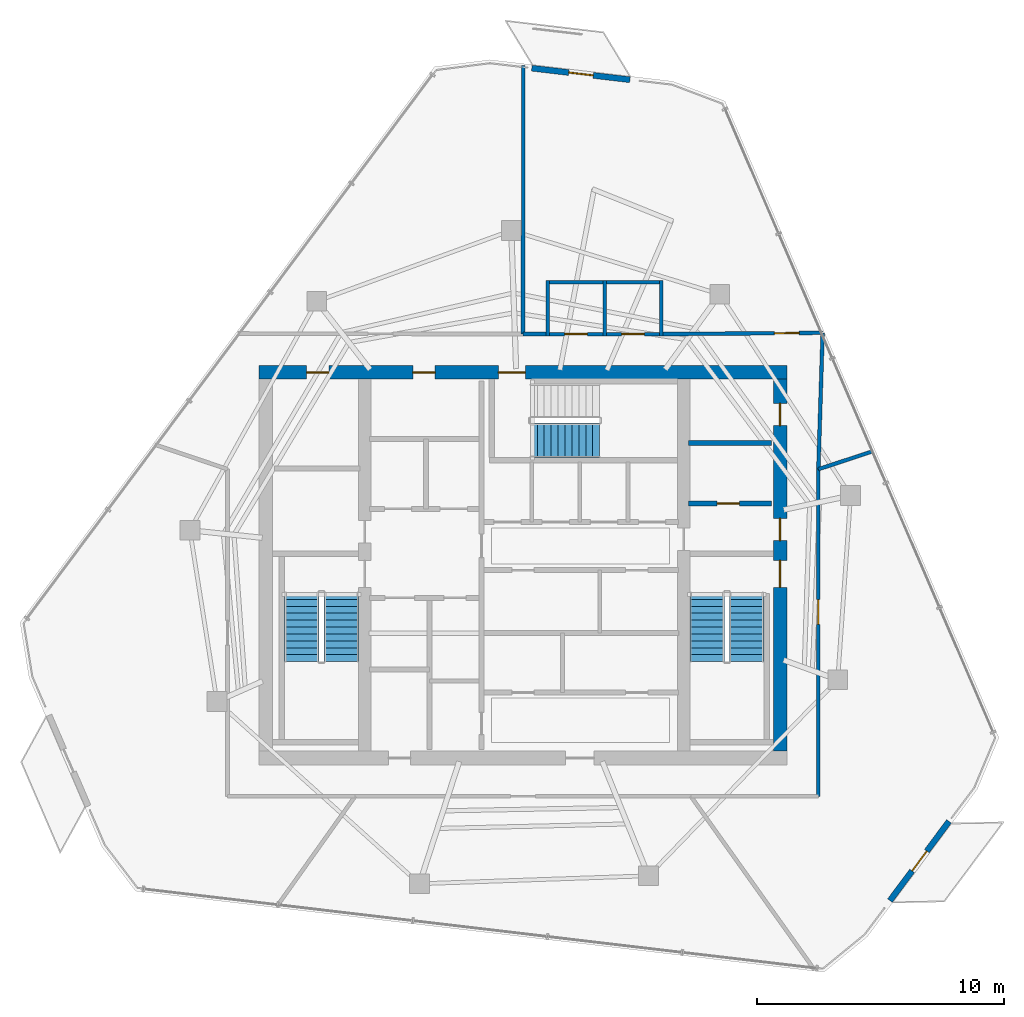
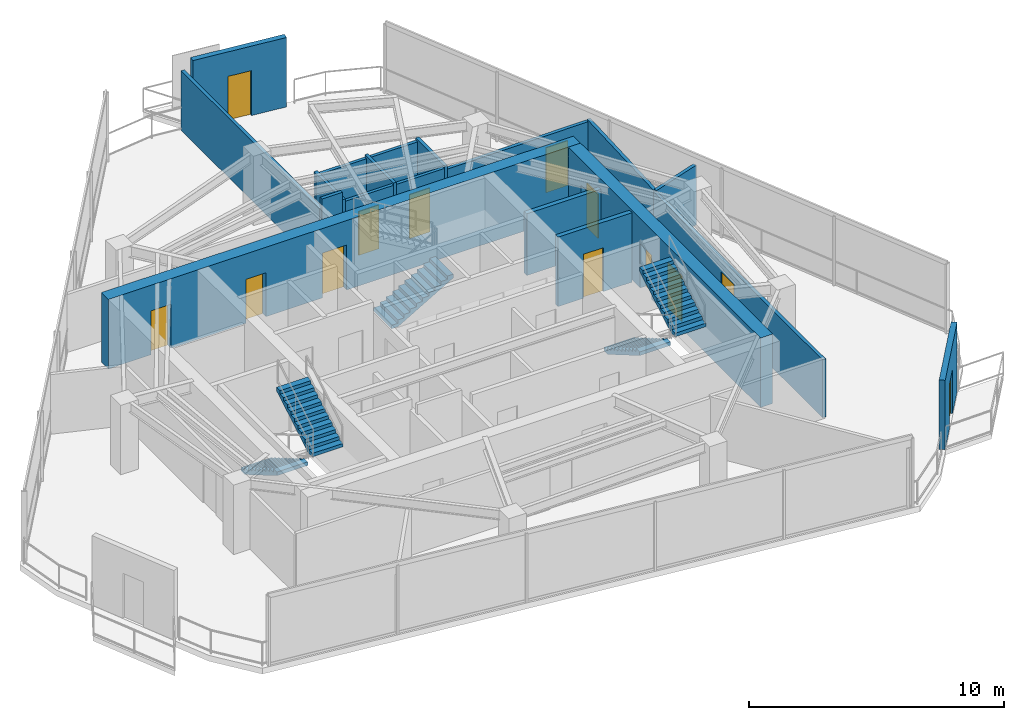
# One storey, part 15 of 18: 19 walls, 13 doors, 5 stair flights, 13 openings, 3 elements without a shape of their own.
"""IFC4 building model written with IfcOpenShell, lengths in metres."""

from ifc_helpers import new_model, si_unit, direction, frame, frame_2d, origin, place, context, subcontext, project, spatial, polyline, rectangle, outline, extrude, material, layer, layer_set, type_object, element, fill, aggregate, save


model = new_model("IFC4")

# Units and contexts
model_context = context("Model", 3, precision=1e-05, world=origin(), true_north=direction((0.0, 1.0)))
body_context = subcontext(model_context, "Body", "Model", "MODEL_VIEW")
ifc_project = project(units=[si_unit("LENGTHUNIT", "METRE"), si_unit("AREAUNIT", "SQUARE_METRE"), si_unit("VOLUMEUNIT", "CUBIC_METRE"), si_unit("PLANEANGLEUNIT", "RADIAN"), si_unit("MASSUNIT", "GRAM", prefix="KILO")], contexts=[model_context])

# Site, building, storey
site_placement = place(None, origin())
site = spatial("IfcSite", under=ifc_project, at=site_placement, CompositionType="ELEMENT")
building_placement = place(site_placement, origin())
building = spatial("IfcBuilding", under=site, at=building_placement, Name="Qarnah Convention Tower", CompositionType="ELEMENT")
storey_placement = place(building_placement, frame((0.0, 0.0, 267.89990234375)))
storey = spatial("IfcBuildingStorey", under=building, at=storey_placement, Name="L72", CompositionType="ELEMENT", Elevation=267.89990234375)

# Wall, openings, doors
ifc_material_1 = material(Name="Concrete C60/75", Category="concrete")
ifc_layer_1 = layer(ifc_material_1, 0.550048828125)
ifc_layer_set_1 = layer_set([ifc_layer_1], Name="Concrete C60/75")
wall_type_1 = type_object("IfcWallType", Name="WL-CORE-550", PredefinedType="SHEAR", material=ifc_layer_set_1)
wall_1_placement = place(storey_placement, frame((26.52490234375, 34.199951171875, 0.0), z_axis=(0.0, 0.0, 1.0), x_axis=(1.0, 0.0, 0.0)))
wall_1 = element("IfcWall", 1, at=wall_1_placement, inside=storey, type_object=wall_type_1, Name="L72 core north shear wall", PredefinedType="SHEAR", context=body_context, shape_type="SweptSolid", body=[
    extrude(rectangle(XDim=21.35009765625, YDim=0.550048828125, at=frame_2d((10.675048828125, 0.0))), origin(), (0.0, 0.0, 1.0), 3.320068359375),
])
opening_1_placement = place(wall_1_placement, frame((9.675048828125, 0.0, 0.0)))
opening_1 = element("IfcOpeningElement", 2, at=opening_1_placement, cuts=wall_1, Name="Opening D-7203", PredefinedType="OPENING", context=body_context, shape_type="SweptSolid", body=[
    extrude(rectangle(XDim=1.10009765625, YDim=2.14990234375, at=frame_2d((0.550048828125, 1.074951171875))), frame((0.0, 0.284912109375, 0.0), z_axis=(0.0, -1.0, 0.0), x_axis=(1.0, 0.0, 0.0)), (0.0, 0.0, 1.0), 0.570068359375),
])
opening_2_placement = place(wall_1_placement, frame((1.925048828125, 0.0, 0.0)))
opening_2 = element("IfcOpeningElement", 3, at=opening_2_placement, cuts=wall_1, Name="Opening D-7209", PredefinedType="OPENING", context=body_context, shape_type="SweptSolid", body=[
    extrude(rectangle(XDim=0.89990234375, YDim=2.10009765625, at=frame_2d((0.449951171875, 1.050048828125))), frame((0.0, 0.284912109375, 0.0), z_axis=(0.0, -1.0, 0.0), x_axis=(1.0, 0.0, 0.0)), (0.0, 0.0, 1.0), 0.570068359375),
])
opening_3_placement = place(wall_1_placement, frame((6.22509765625, 0.0, 0.0)))
opening_3 = element("IfcOpeningElement", 4, at=opening_3_placement, cuts=wall_1, Name="Opening D-7210", PredefinedType="OPENING", context=body_context, shape_type="SweptSolid", body=[
    extrude(rectangle(XDim=0.89990234375, YDim=2.10009765625, at=frame_2d((0.449951171875, 1.050048828125))), frame((0.0, 0.284912109375, 0.0), z_axis=(0.0, -1.0, 0.0), x_axis=(1.0, 0.0, 0.0)), (0.0, 0.0, 1.0), 0.570068359375),
])
ifc_material_2 = material(Name="Structural steel S355JR", Category="steel")
door_type_1 = type_object("IfcDoorType", Name="DT-RISER-900", OperationType="NOTDEFINED", PredefinedType="DOOR", material=ifc_material_2)
door_1_placement = place(opening_2_placement, origin())
door_1 = element("IfcDoor", 5, at=door_1_placement, inside=storey, type_object=door_type_1, Name="Door D-7209", OperationType="SINGLE_SWING_LEFT", OverallHeight=2.10009765625, OverallWidth=0.89990234375, PredefinedType="DOOR", context=body_context, shape_type="SweptSolid", body=[
    extrude(rectangle(XDim=0.89990234375, YDim=2.10009765625, at=frame_2d((0.449951171875, 1.050048828125))), frame((0.0, 0.02490234375, 0.0), z_axis=(0.0, -1.0, 0.0), x_axis=(1.0, 0.0, 0.0)), (0.0, 0.0, 1.0), 0.050048828125),
])
fill(opening_2, door_1)
door_2_placement = place(opening_3_placement, origin())
door_2 = element("IfcDoor", 6, at=door_2_placement, inside=storey, type_object=door_type_1, Name="Door D-7210", OperationType="SINGLE_SWING_RIGHT", OverallHeight=2.10009765625, OverallWidth=0.89990234375, PredefinedType="DOOR", context=body_context, shape_type="SweptSolid", body=[
    extrude(rectangle(XDim=0.89990234375, YDim=2.10009765625, at=frame_2d((0.449951171875, 1.050048828125))), frame((0.0, 0.02490234375, 0.0), z_axis=(0.0, -1.0, 0.0), x_axis=(1.0, 0.0, 0.0)), (0.0, 0.0, 1.0), 0.050048828125),
])
fill(opening_3, door_2)
door_type_2 = type_object("IfcDoorType", Name="DT-STAIR-1100", OperationType="NOTDEFINED", PredefinedType="DOOR", material=ifc_material_2)
door_3_placement = place(opening_1_placement, origin())
door_3 = element("IfcDoor", 7, at=door_3_placement, inside=storey, type_object=door_type_2, Name="Door D-7203", OperationType="SINGLE_SWING_LEFT", OverallHeight=2.14990234375, OverallWidth=1.10009765625, PredefinedType="DOOR", context=body_context, shape_type="SweptSolid", body=[
    extrude(rectangle(XDim=1.10009765625, YDim=2.14990234375, at=frame_2d((0.550048828125, 1.074951171875))), frame((0.0, 0.02490234375, 0.0), z_axis=(0.0, -1.0, 0.0), x_axis=(1.0, 0.0, 0.0)), (0.0, 0.0, 1.0), 0.050048828125),
])
fill(opening_1, door_3)

wall_2_placement = place(storey_placement, frame((47.60009765625, 18.875, 0.0), z_axis=(0.0, 0.0, 1.0), x_axis=(0.0, 1.0, 0.0)))
wall_2 = element("IfcWall", 8, at=wall_2_placement, inside=storey, type_object=wall_type_1, Name="L72 core east shear wall", PredefinedType="SHEAR", context=body_context, shape_type="SweptSolid", body=[
    extrude(rectangle(XDim=15.050048828125, YDim=0.550048828125, at=frame_2d((7.52490234375, 0.0))), origin(), (0.0, 0.0, 1.0), 3.320068359375),
])
opening_4_placement = place(wall_2_placement, frame((6.625, 0.0, 0.0)))
opening_4 = element("IfcOpeningElement", 9, at=opening_4_placement, cuts=wall_2, Name="Opening D-7202", PredefinedType="OPENING", context=body_context, shape_type="SweptSolid", body=[
    extrude(rectangle(XDim=1.10009765625, YDim=2.14990234375, at=frame_2d((0.550048828125, 1.074951171875))), frame((0.0, 0.284912109375, 0.0), z_axis=(0.0, -1.0, 0.0), x_axis=(1.0, 0.0, 0.0)), (0.0, 0.0, 1.0), 0.570068359375),
])
opening_5_placement = place(wall_2_placement, frame((8.52490234375, 0.0, 0.0)))
opening_5 = element("IfcOpeningElement", 10, at=opening_5_placement, cuts=wall_2, Name="Opening D-7206", PredefinedType="OPENING", context=body_context, shape_type="SweptSolid", body=[
    extrude(rectangle(XDim=0.89990234375, YDim=2.10009765625, at=frame_2d((0.449951171875, 1.050048828125))), frame((0.0, 0.284912109375, 0.0), z_axis=(0.0, -1.0, 0.0), x_axis=(1.0, 0.0, 0.0)), (0.0, 0.0, 1.0), 0.570068359375),
])
opening_6_placement = place(wall_2_placement, frame((13.175048828125, 0.0, 0.0)))
opening_6 = element("IfcOpeningElement", 11, at=opening_6_placement, cuts=wall_2, Name="Opening D-7212", PredefinedType="OPENING", context=body_context, shape_type="SweptSolid", body=[
    extrude(rectangle(XDim=0.89990234375, YDim=2.10009765625, at=frame_2d((0.449951171875, 1.050048828125))), frame((0.0, 0.284912109375, 0.0), z_axis=(0.0, -1.0, 0.0), x_axis=(1.0, 0.0, 0.0)), (0.0, 0.0, 1.0), 0.570068359375),
])
door_4_placement = place(opening_5_placement, origin())
door_4 = element("IfcDoor", 12, at=door_4_placement, inside=storey, type_object=door_type_1, Name="Door D-7206", OperationType="SINGLE_SWING_RIGHT", OverallHeight=2.10009765625, OverallWidth=0.89990234375, PredefinedType="DOOR", context=body_context, shape_type="SweptSolid", body=[
    extrude(rectangle(XDim=0.89990234375, YDim=2.10009765625, at=frame_2d((0.449951171875, 1.050048828125))), frame((0.0, 0.02490234375, 0.0), z_axis=(0.0, -1.0, 0.0), x_axis=(1.0, 0.0, 0.0)), (0.0, 0.0, 1.0), 0.050048828125),
])
fill(opening_5, door_4)
door_5_placement = place(opening_6_placement, origin())
door_5 = element("IfcDoor", 13, at=door_5_placement, inside=storey, type_object=door_type_1, Name="Door D-7212", OperationType="SINGLE_SWING_RIGHT", OverallHeight=2.10009765625, OverallWidth=0.89990234375, PredefinedType="DOOR", context=body_context, shape_type="SweptSolid", body=[
    extrude(rectangle(XDim=0.89990234375, YDim=2.10009765625, at=frame_2d((0.449951171875, 1.050048828125))), frame((0.0, 0.02490234375, 0.0), z_axis=(0.0, -1.0, 0.0), x_axis=(1.0, 0.0, 0.0)), (0.0, 0.0, 1.0), 0.050048828125),
])
fill(opening_6, door_5)
door_6_placement = place(opening_4_placement, origin())
door_6 = element("IfcDoor", 14, at=door_6_placement, inside=storey, type_object=door_type_2, Name="Door D-7202", OperationType="SINGLE_SWING_RIGHT", OverallHeight=2.14990234375, OverallWidth=1.10009765625, PredefinedType="DOOR", context=body_context, shape_type="SweptSolid", body=[
    extrude(rectangle(XDim=1.10009765625, YDim=2.14990234375, at=frame_2d((0.550048828125, 1.074951171875))), frame((0.0, 0.02490234375, 0.0), z_axis=(0.0, -1.0, 0.0), x_axis=(1.0, 0.0, 0.0)), (0.0, 0.0, 1.0), 0.050048828125),
])
fill(opening_4, door_6)

# Wall, opening, door
ifc_material_3 = material(Name="Concrete C45/55", Category="concrete")
ifc_layer_2 = layer(ifc_material_3, 0.199951171875)
ifc_layer_set_2 = layer_set([ifc_layer_2], Name="Concrete C45/55")
wall_type_2 = type_object("IfcWallType", Name="WL-CORE-PART-200", PredefinedType="SOLIDWALL", material=ifc_layer_set_2)
wall_3_placement = place(storey_placement, frame((43.89990234375, 28.89990234375, 0.0), z_axis=(0.0, 0.0, 1.0), x_axis=(1.0, 0.0, 0.0)))
wall_3 = element("IfcWall", 15, at=wall_3_placement, inside=storey, type_object=wall_type_2, Name="L72 interior wall IW-L72-EVSTN", PredefinedType="SOLIDWALL", context=body_context, shape_type="SweptSolid", body=[
    extrude(rectangle(XDim=3.35009765625, YDim=0.199951171875, at=frame_2d((1.675048828125, 0.0))), origin(), (0.0, 0.0, 1.0), 3.320068359375),
])
opening_7_placement = place(wall_3_placement, frame((1.14990234375, 0.0, 0.0)))
opening_7 = element("IfcOpeningElement", 16, at=opening_7_placement, cuts=wall_3, Name="Opening D-7211", PredefinedType="OPENING", context=body_context, shape_type="SweptSolid", body=[
    extrude(rectangle(XDim=0.89990234375, YDim=2.10009765625, at=frame_2d((0.449951171875, 1.050048828125))), frame((0.0, 0.10986328125, 0.0), z_axis=(0.0, -1.0, 0.0), x_axis=(1.0, 0.0, 0.0)), (0.0, 0.0, 1.0), 0.219970703125),
])
door_7_placement = place(opening_7_placement, origin())
door_7 = element("IfcDoor", 17, at=door_7_placement, inside=storey, type_object=door_type_1, Name="Door D-7211", OperationType="SINGLE_SWING_LEFT", OverallHeight=2.10009765625, OverallWidth=0.89990234375, PredefinedType="DOOR", context=body_context, shape_type="SweptSolid", body=[
    extrude(rectangle(XDim=0.89990234375, YDim=2.10009765625, at=frame_2d((0.449951171875, 1.050048828125))), frame((0.0, 0.02490234375, 0.0), z_axis=(0.0, -1.0, 0.0), x_axis=(1.0, 0.0, 0.0)), (0.0, 0.0, 1.0), 0.050048828125),
])
fill(opening_7, door_7)

# Wall
wall_4_placement = place(storey_placement, frame((43.89990234375, 31.35009765625, 0.0), z_axis=(0.0, 0.0, 1.0), x_axis=(1.0, 0.0, 0.0)))
element("IfcWall", 18, at=wall_4_placement, inside=storey, type_object=wall_type_2, Name="L72 interior wall IW-L72-WTRN", PredefinedType="SOLIDWALL", context=body_context, shape_type="SweptSolid", body=[
    extrude(rectangle(XDim=3.35009765625, YDim=0.199951171875, at=frame_2d((1.675048828125, 0.0))), origin(), (0.0, 0.0, 1.0), 2.94921875),
])

# Wall, opening, door
ifc_material_4 = material(Name="Precast concrete C45/55", Category="concrete")
ifc_layer_3 = layer(ifc_material_4, 0.239990234375)
ifc_layer_set_3 = layer_set([ifc_layer_3], Name="Precast concrete C45/55")
wall_type_3 = type_object("IfcWallType", Name="WL-EXT-BAL-240", PredefinedType="SOLIDWALL", material=ifc_layer_set_3)
wall_5_placement = place(storey_placement, frame((37.555908203125, 46.509033203125, 0.0), z_axis=(0.0, 0.0, 1.0), x_axis=(0.993130172859, -0.11701478435, 0.0)))
wall_5 = element("IfcWall", 19, at=wall_5_placement, inside=storey, type_object=wall_type_3, Name="L72 loggia threshold wall BAL-L72-C1", PredefinedType="SOLIDWALL", context=body_context, shape_type="SweptSolid", body=[
    extrude(rectangle(XDim=3.999755859375, YDim=0.239990234375, at=frame_2d((2.0, 0.0))), origin(), (0.0, 0.0, 1.0), 3.320068359375),
])
opening_8_placement = place(wall_5_placement, frame((1.5, 0.0, 0.0)))
opening_8 = element("IfcOpeningElement", 20, at=opening_8_placement, cuts=wall_5, Name="Opening BD-7201", PredefinedType="OPENING", context=body_context, shape_type="SweptSolid", body=[
    extrude(rectangle(XDim=1.0, YDim=2.14990234375, at=frame_2d((0.5, 1.074951171875))), frame((0.0, 0.1298828125, 0.0), z_axis=(0.0, -1.0, 0.0), x_axis=(1.0, 0.0, 0.0)), (0.0, 0.0, 1.0), 0.260009765625),
])
ifc_material_5 = material(Name="Black anodised aluminium", Category="aluminium")
door_type_3 = type_object("IfcDoorType", Name="DT-BAL-1000", OperationType="NOTDEFINED", PredefinedType="DOOR", material=ifc_material_5)
door_8_placement = place(opening_8_placement, origin())
door_8 = element("IfcDoor", 21, at=door_8_placement, inside=storey, type_object=door_type_3, Name="L72 balcony terrace door BAL-L72-C1", OperationType="SINGLE_SWING_LEFT", OverallHeight=2.14990234375, OverallWidth=1.0, PredefinedType="DOOR", context=body_context, shape_type="SweptSolid", body=[
    extrude(rectangle(XDim=1.0, YDim=2.14990234375, at=frame_2d((0.5, 1.074951171875))), frame((0.0, 0.02490234375, 0.0), z_axis=(0.0, -1.0, 0.0), x_axis=(1.0, 0.0, 0.0)), (0.0, 0.0, 1.0), 0.050048828125),
])
fill(opening_8, door_8)

wall_6_placement = place(storey_placement, frame((54.43701171875, 16.037109375, 0.0), z_axis=(0.0, 0.0, 1.0), x_axis=(-0.597849143793, -0.801608633478, 0.0)))
wall_6 = element("IfcWall", 22, at=wall_6_placement, inside=storey, type_object=wall_type_3, Name="L72 loggia threshold wall BAL-L72-C3", PredefinedType="SOLIDWALL", context=body_context, shape_type="SweptSolid", body=[
    extrude(rectangle(XDim=3.99951171875, YDim=0.239990234375, at=frame_2d((1.999755859375, 0.0))), origin(), (0.0, 0.0, 1.0), 3.320068359375),
])
opening_9_placement = place(wall_6_placement, frame((1.5, 0.0, 0.0)))
opening_9 = element("IfcOpeningElement", 23, at=opening_9_placement, cuts=wall_6, Name="Opening BD-7203", PredefinedType="OPENING", context=body_context, shape_type="SweptSolid", body=[
    extrude(rectangle(XDim=1.0, YDim=2.14990234375, at=frame_2d((0.5, 1.074951171875))), frame((0.0, 0.1298828125, 0.0), z_axis=(0.0, -1.0, 0.0), x_axis=(1.0, 0.0, 0.0)), (0.0, 0.0, 1.0), 0.260009765625),
])
door_9_placement = place(opening_9_placement, origin())
door_9 = element("IfcDoor", 24, at=door_9_placement, inside=storey, type_object=door_type_3, Name="L72 balcony terrace door BAL-L72-C3", OperationType="SINGLE_SWING_LEFT", OverallHeight=2.14990234375, OverallWidth=1.0, PredefinedType="DOOR", context=body_context, shape_type="SweptSolid", body=[
    extrude(rectangle(XDim=1.0, YDim=2.14990234375, at=frame_2d((0.5, 1.074951171875))), frame((0.0, 0.02490234375, 0.0), z_axis=(0.0, -1.0, 0.0), x_axis=(1.0, 0.0, 0.0)), (0.0, 0.0, 1.0), 0.050048828125),
])
fill(opening_9, door_9)

# Walls
ifc_material_6 = material(Name="Gypsum partition board")
ifc_layer_4 = layer(ifc_material_6, 0.14990234375)
ifc_layer_set_4 = layer_set([ifc_layer_4], Name="Gypsum partition board")
wall_type_4 = type_object("IfcWallType", Name="WL-SUITE-150", PredefinedType="PARTITIONING", material=ifc_layer_set_4)
wall_7_placement = place(storey_placement, frame((49.322021484375, 35.802001953125, 0.0), z_axis=(0.0, 0.0, 1.0), x_axis=(-0.031171255911, -0.999514058333, 0.0)))
element("IfcWall", 25, at=wall_7_placement, inside=storey, type_object=wall_type_4, Name="L72 interior wall IW-L72-R-08", PredefinedType="PARTITIONING", context=body_context, shape_type="SweptSolid", body=[
    extrude(rectangle(XDim=5.521728515625, YDim=0.14990234375, at=frame_2d((2.7607421875, 0.0))), origin(), (0.0, 0.0, 1.0), 2.84521484375),
])
wall_8_placement = place(storey_placement, frame((49.14990234375, 30.282958984375, 0.0), z_axis=(0.0, 0.0, 1.0), x_axis=(0.949646608568, 0.313323026342, 0.0)))
element("IfcWall", 26, at=wall_8_placement, inside=storey, type_object=wall_type_4, Name="L72 interior wall IW-L72-R-09", PredefinedType="PARTITIONING", context=body_context, shape_type="SweptSolid", body=[
    extrude(rectangle(XDim=2.34619140625, YDim=0.14990234375, at=frame_2d((1.173095703125, 0.0))), origin(), (0.0, 0.0, 1.0), 2.84521484375),
])
wall_9_placement = place(storey_placement, frame((37.214111328125, 46.611083984375, 0.0), z_axis=(0.0, 0.0, 1.0), x_axis=(-0.00130375055, -0.999999150117, 0.0)))
element("IfcWall", 27, at=wall_9_placement, inside=storey, type_object=wall_type_4, Name="L72 interior wall IW-L72-R-10", PredefinedType="PARTITIONING", context=body_context, shape_type="SweptSolid", body=[
    extrude(rectangle(XDim=10.861083984375, YDim=0.14990234375, at=frame_2d((5.4306640625, 0.0))), origin(), (0.0, 0.0, 1.0), 2.84521484375),
])
wall_10_placement = place(storey_placement, frame((37.199951171875, 35.75, 0.0), z_axis=(0.0, 0.0, 1.0), x_axis=(1.0, 0.0, 0.0)))
element("IfcWall", 28, at=wall_10_placement, inside=storey, type_object=wall_type_4, Name="L72 interior wall IW-L72-R-11", PredefinedType="PARTITIONING", context=body_context, shape_type="SweptSolid", body=[
    extrude(rectangle(XDim=0.929931640625, YDim=0.14990234375, at=frame_2d((0.46484375, 0.0))), origin(), (0.0, 0.0, 1.0), 3.320068359375),
])

# Wall, opening, door
wall_11_placement = place(storey_placement, frame((42.8701171875, 35.75, 0.0), z_axis=(0.0, 0.0, 1.0), x_axis=(0.999967520277, 0.008059676914, 0.0)))
wall_11 = element("IfcWall", 29, at=wall_11_placement, inside=storey, type_object=wall_type_4, Name="L72 interior wall IW-L72-R-12", PredefinedType="PARTITIONING", context=body_context, shape_type="SweptSolid", body=[
    extrude(rectangle(XDim=6.4521484375, YDim=0.14990234375, at=frame_2d((3.22607421875, 0.0))), origin(), (0.0, 0.0, 1.0), 2.76513671875),
])
opening_10_placement = place(wall_11_placement, frame((4.501953125, 0.0, 0.0)))
opening_10 = element("IfcOpeningElement", 30, at=opening_10_placement, cuts=wall_11, Name="Opening D-7222", PredefinedType="OPENING", context=body_context, shape_type="SweptSolid", body=[
    extrude(rectangle(XDim=1.0, YDim=2.14990234375, at=frame_2d((0.5, 1.074951171875))), frame((0.0, 0.0849609375, 0.0), z_axis=(0.0, -1.0, 0.0), x_axis=(1.0, 0.0, 0.0)), (0.0, 0.0, 1.0), 0.169921875),
])
ifc_material_7 = material(Name="Oak timber veneer", Category="wood")
door_type_4 = type_object("IfcDoorType", Name="DT-OFFICE-1000", OperationType="NOTDEFINED", PredefinedType="DOOR", material=ifc_material_7)
door_10_placement = place(opening_10_placement, origin())
door_10 = element("IfcDoor", 31, at=door_10_placement, inside=storey, type_object=door_type_4, Name="Door D-7222", OperationType="SINGLE_SWING_RIGHT", OverallHeight=2.14990234375, OverallWidth=1.0, PredefinedType="DOOR", context=body_context, shape_type="SweptSolid", body=[
    extrude(rectangle(XDim=1.0, YDim=2.14990234375, at=frame_2d((0.5, 1.074951171875))), frame((0.0, 0.02490234375, 0.0), z_axis=(0.0, -1.0, 0.0), x_axis=(1.0, 0.0, 0.0)), (0.0, 0.0, 1.0), 0.050048828125),
])
fill(opening_10, door_10)

wall_12_placement = place(storey_placement, frame((49.14990234375, 30.282958984375, 0.0), z_axis=(0.0, 0.0, 1.0), x_axis=(0.0, -1.0, 0.0)))
wall_12 = element("IfcWall", 32, at=wall_12_placement, inside=storey, type_object=wall_type_4, Name="L72 interior wall IW-L72-R-20", PredefinedType="PARTITIONING", context=body_context, shape_type="SweptSolid", body=[
    extrude(rectangle(XDim=13.23291015625, YDim=0.14990234375, at=frame_2d((6.616455078125, 0.0))), origin(), (0.0, 0.0, 1.0), 2.76513671875),
])
opening_11_placement = place(wall_12_placement, frame((5.277099609375, 0.0, 0.0)))
opening_11 = element("IfcOpeningElement", 33, at=opening_11_placement, cuts=wall_12, Name="Opening D-7226", PredefinedType="OPENING", context=body_context, shape_type="SweptSolid", body=[
    extrude(rectangle(XDim=1.0, YDim=2.14990234375, at=frame_2d((0.5, 1.074951171875))), frame((0.0, 0.0849609375, 0.0), z_axis=(0.0, -1.0, 0.0), x_axis=(1.0, 0.0, 0.0)), (0.0, 0.0, 1.0), 0.169921875),
])
door_11_placement = place(opening_11_placement, origin())
door_11 = element("IfcDoor", 34, at=door_11_placement, inside=storey, type_object=door_type_4, Name="Door D-7226", OperationType="SINGLE_SWING_RIGHT", OverallHeight=2.14990234375, OverallWidth=1.0, PredefinedType="DOOR", context=body_context, shape_type="SweptSolid", body=[
    extrude(rectangle(XDim=1.0, YDim=2.14990234375, at=frame_2d((0.5, 1.074951171875))), frame((0.0, 0.02490234375, 0.0), z_axis=(0.0, -1.0, 0.0), x_axis=(1.0, 0.0, 0.0)), (0.0, 0.0, 1.0), 0.050048828125),
])
fill(opening_11, door_11)

ifc_layer_5 = layer(ifc_material_6, 0.139892578125)
ifc_layer_set_5 = layer_set([ifc_layer_5], Name="Gypsum partition board")
wall_type_5 = type_object("IfcWallType", Name="WL-WET-140", PredefinedType="PARTITIONING", material=ifc_layer_set_5)
wall_13_placement = place(storey_placement, frame((38.1298828125, 35.75, 0.0), z_axis=(0.0, 0.0, 1.0), x_axis=(1.0, 0.0, 0.0)))
wall_13 = element("IfcWall", 35, at=wall_13_placement, inside=storey, type_object=wall_type_5, Name="L72 interior wall IW-L72-WCM-1", PredefinedType="PARTITIONING", context=body_context, shape_type="SweptSolid", body=[
    extrude(rectangle(XDim=2.440185546875, YDim=0.139892578125, at=frame_2d((1.22021484375, 0.0))), origin(), (0.0, 0.0, 1.0), 2.841064453125),
])
opening_12_placement = place(wall_13_placement, frame((0.760009765625, 0.0, 0.0)))
opening_12 = element("IfcOpeningElement", 36, at=opening_12_placement, cuts=wall_13, Name="Opening D-7220", PredefinedType="OPENING", context=body_context, shape_type="SweptSolid", body=[
    extrude(rectangle(XDim=0.919921875, YDim=2.10009765625, at=frame_2d((0.4599609375, 1.050048828125))), frame((0.0, 0.079833984375, 0.0), z_axis=(0.0, -1.0, 0.0), x_axis=(1.0, 0.0, 0.0)), (0.0, 0.0, 1.0), 0.159912109375),
])
door_type_5 = type_object("IfcDoorType", Name="DT-WC-920", OperationType="NOTDEFINED", PredefinedType="DOOR", material=ifc_material_7)
door_12_placement = place(opening_12_placement, origin())
door_12 = element("IfcDoor", 37, at=door_12_placement, inside=storey, type_object=door_type_5, Name="Door D-7220", OperationType="SINGLE_SWING_RIGHT", OverallHeight=2.10009765625, OverallWidth=0.919921875, PredefinedType="DOOR", context=body_context, shape_type="SweptSolid", body=[
    extrude(rectangle(XDim=0.919921875, YDim=2.10009765625, at=frame_2d((0.4599609375, 1.050048828125))), frame((0.0, 0.02490234375, 0.0), z_axis=(0.0, -1.0, 0.0), x_axis=(1.0, 0.0, 0.0)), (0.0, 0.0, 1.0), 0.050048828125),
])
fill(opening_12, door_12)

# Walls
wall_14_placement = place(storey_placement, frame((40.5, 35.679931640625, 0.0), z_axis=(0.0, 0.0, 1.0), x_axis=(0.0, 1.0, 0.0)))
element("IfcWall", 38, at=wall_14_placement, inside=storey, type_object=wall_type_5, Name="L72 interior wall IW-L72-WCM-2", PredefinedType="PARTITIONING", context=body_context, shape_type="SweptSolid", body=[
    extrude(rectangle(XDim=2.239990234375, YDim=0.139892578125, at=frame_2d((1.1201171875, 0.0))), origin(), (0.0, 0.0, 1.0), 2.94921875),
])
wall_15_placement = place(storey_placement, frame((40.570068359375, 37.85009765625, 0.0), z_axis=(0.0, 0.0, 1.0), x_axis=(-1.0, 0.0, 0.0)))
element("IfcWall", 39, at=wall_15_placement, inside=storey, type_object=wall_type_5, Name="L72 interior wall IW-L72-WCM-3", PredefinedType="PARTITIONING", context=body_context, shape_type="SweptSolid", body=[
    extrude(rectangle(XDim=2.440185546875, YDim=0.139892578125, at=frame_2d((1.22021484375, 0.0))), origin(), (0.0, 0.0, 1.0), 2.841064453125),
])
wall_16_placement = place(storey_placement, frame((38.199951171875, 37.919921875, 0.0), z_axis=(0.0, 0.0, 1.0), x_axis=(0.0, -1.0, 0.0)))
element("IfcWall", 40, at=wall_16_placement, inside=storey, type_object=wall_type_5, Name="L72 interior wall IW-L72-WCM-4", PredefinedType="PARTITIONING", context=body_context, shape_type="SweptSolid", body=[
    extrude(rectangle(XDim=2.239990234375, YDim=0.139892578125, at=frame_2d((1.1201171875, 0.0))), origin(), (0.0, 0.0, 1.0), 2.94921875),
])

# Wall, opening, door
wall_17_placement = place(storey_placement, frame((40.429931640625, 35.75, 0.0), z_axis=(0.0, 0.0, 1.0), x_axis=(1.0, 0.0, 0.0)))
wall_17 = element("IfcWall", 41, at=wall_17_placement, inside=storey, type_object=wall_type_5, Name="L72 interior wall IW-L72-WCF-1", PredefinedType="PARTITIONING", context=body_context, shape_type="SweptSolid", body=[
    extrude(rectangle(XDim=2.440185546875, YDim=0.139892578125, at=frame_2d((1.22021484375, 0.0))), origin(), (0.0, 0.0, 1.0), 2.841064453125),
])
opening_13_placement = place(wall_17_placement, frame((0.760009765625, 0.0, 0.0)))
opening_13 = element("IfcOpeningElement", 42, at=opening_13_placement, cuts=wall_17, Name="Opening D-7221", PredefinedType="OPENING", context=body_context, shape_type="SweptSolid", body=[
    extrude(rectangle(XDim=0.919921875, YDim=2.10009765625, at=frame_2d((0.4599609375, 1.050048828125))), frame((0.0, 0.079833984375, 0.0), z_axis=(0.0, -1.0, 0.0), x_axis=(1.0, 0.0, 0.0)), (0.0, 0.0, 1.0), 0.159912109375),
])
door_13_placement = place(opening_13_placement, origin())
door_13 = element("IfcDoor", 43, at=door_13_placement, inside=storey, type_object=door_type_5, Name="Door D-7221", OperationType="SINGLE_SWING_LEFT", OverallHeight=2.10009765625, OverallWidth=0.919921875, PredefinedType="DOOR", context=body_context, shape_type="SweptSolid", body=[
    extrude(rectangle(XDim=0.919921875, YDim=2.10009765625, at=frame_2d((0.4599609375, 1.050048828125))), frame((0.0, 0.02490234375, 0.0), z_axis=(0.0, -1.0, 0.0), x_axis=(1.0, 0.0, 0.0)), (0.0, 0.0, 1.0), 0.050048828125),
])
fill(opening_13, door_13)

# Walls
wall_18_placement = place(storey_placement, frame((42.800048828125, 35.679931640625, 0.0), z_axis=(0.0, 0.0, 1.0), x_axis=(0.0, 1.0, 0.0)))
element("IfcWall", 44, at=wall_18_placement, inside=storey, type_object=wall_type_5, Name="L72 interior wall IW-L72-WCF-2", PredefinedType="PARTITIONING", context=body_context, shape_type="SweptSolid", body=[
    extrude(rectangle(XDim=2.239990234375, YDim=0.139892578125, at=frame_2d((1.1201171875, 0.0))), origin(), (0.0, 0.0, 1.0), 2.94921875),
])
wall_19_placement = place(storey_placement, frame((42.8701171875, 37.85009765625, 0.0), z_axis=(0.0, 0.0, 1.0), x_axis=(-1.0, 0.0, 0.0)))
element("IfcWall", 45, at=wall_19_placement, inside=storey, type_object=wall_type_5, Name="L72 interior wall IW-L72-WCF-3", PredefinedType="PARTITIONING", context=body_context, shape_type="SweptSolid", body=[
    extrude(rectangle(XDim=2.440185546875, YDim=0.139892578125, at=frame_2d((1.22021484375, 0.0))), origin(), (0.0, 0.0, 1.0), 2.841064453125),
])

# Stair, stair flights
ifc_material_8 = material(Name="Concrete C50/60", Category="concrete")
stair_type = type_object("IfcStairType", Name="STR-OFF", PredefinedType="HALF_TURN_STAIR", material=ifc_material_8)
stair_1_placement = place(storey_placement, origin())
stair_1 = element("IfcStair", 46, at=stair_1_placement, inside=storey, type_object=stair_type, Name="L72 Core exit stair ST-1", PredefinedType="HALF_TURN_STAIR")
stair_flight_type = type_object("IfcStairFlightType", Name="FLT-OFF", PredefinedType="STRAIGHT", material=ifc_material_8)
stair_flight_1_placement = place(storey_placement, frame((28.25, 25.300048828125, 0.0), z_axis=(0.0, 0.0, 1.0), x_axis=(0.0, -1.0, 0.0)))
stair_flight_1 = element("IfcStairFlight", 47, at=stair_flight_1_placement, type_object=stair_flight_type, Name="ST-1 flight 1", NumberOfRisers=11, NumberOfTreads=10, PredefinedType="STRAIGHT", RiserHeight=0.163636364, TreadLength=0.28, context=body_context, shape_type="SweptSolid", body=[
    extrude(outline(polyline([(0.0, 0.0), (0.0, 0.16357421875), (0.280029296875, 0.16357421875), (0.280029296875, 0.327392578125), (0.56005859375, 0.327392578125), (0.56005859375, 0.490966796875), (0.840087890625, 0.490966796875), (0.840087890625, 0.654541015625), (1.1201171875, 0.654541015625), (1.1201171875, 0.818115234375), (1.39990234375, 0.818115234375), (1.39990234375, 0.98193359375), (1.679931640625, 0.98193359375), (1.679931640625, 1.1455078125), (1.9599609375, 1.1455078125), (1.9599609375, 1.30908203125), (2.239990234375, 1.30908203125), (2.239990234375, 1.47265625), (2.52001953125, 1.47265625), (2.52001953125, 1.636474609375), (2.800048828125, 1.636474609375), (2.800048828125, 1.800048828125), (2.800048828125, 1.462646484375), (0.297119140625, 0.0), (0.0, 0.0)])), frame((0.0, 0.699951171875, 0.0), z_axis=(0.0, -1.0, 0.0), x_axis=(1.0, 0.0, 0.0)), (0.0, 0.0, 1.0), 1.39990234375),
])
stair_flight_2_placement = place(storey_placement, frame((29.85009765625, 22.5, 1.800048828125), z_axis=(0.0, 0.0, 1.0), x_axis=(0.0, 1.0, 0.0)))
stair_flight_2 = element("IfcStairFlight", 48, at=stair_flight_2_placement, type_object=stair_flight_type, Name="ST-1 flight 2", NumberOfRisers=11, NumberOfTreads=10, PredefinedType="STRAIGHT", RiserHeight=0.163636364, TreadLength=0.28, context=body_context, shape_type="SweptSolid", body=[
    extrude(outline(polyline([(0.0, 0.0), (0.0, 0.16357421875), (0.280029296875, 0.16357421875), (0.280029296875, 0.327392578125), (0.56005859375, 0.327392578125), (0.56005859375, 0.490966796875), (0.840087890625, 0.490966796875), (0.840087890625, 0.654541015625), (1.1201171875, 0.654541015625), (1.1201171875, 0.818115234375), (1.39990234375, 0.818115234375), (1.39990234375, 0.98193359375), (1.679931640625, 0.98193359375), (1.679931640625, 1.1455078125), (1.9599609375, 1.1455078125), (1.9599609375, 1.30908203125), (2.239990234375, 1.30908203125), (2.239990234375, 1.47265625), (2.52001953125, 1.47265625), (2.52001953125, 1.636474609375), (2.800048828125, 1.636474609375), (2.800048828125, 1.800048828125), (2.800048828125, 1.462646484375), (0.297119140625, 0.0), (0.0, 0.0)])), frame((0.0, 0.699951171875, 0.0), z_axis=(0.0, -1.0, 0.0), x_axis=(1.0, 0.0, 0.0)), (0.0, 0.0, 1.0), 1.39990234375),
])
aggregate(stair_1, [stair_flight_1, stair_flight_2])

stair_2_placement = place(storey_placement, origin())
stair_2 = element("IfcStair", 49, at=stair_2_placement, inside=storey, type_object=stair_type, Name="L72 Core exit stair ST-2", PredefinedType="HALF_TURN_STAIR")
stair_flight_3_placement = place(storey_placement, frame((44.64990234375, 25.300048828125, 0.0), z_axis=(0.0, 0.0, 1.0), x_axis=(0.0, -1.0, 0.0)))
stair_flight_3 = element("IfcStairFlight", 50, at=stair_flight_3_placement, type_object=stair_flight_type, Name="ST-2 flight 1", NumberOfRisers=11, NumberOfTreads=10, PredefinedType="STRAIGHT", RiserHeight=0.163636364, TreadLength=0.28, context=body_context, shape_type="SweptSolid", body=[
    extrude(outline(polyline([(0.0, 0.0), (0.0, 0.16357421875), (0.280029296875, 0.16357421875), (0.280029296875, 0.327392578125), (0.56005859375, 0.327392578125), (0.56005859375, 0.490966796875), (0.840087890625, 0.490966796875), (0.840087890625, 0.654541015625), (1.1201171875, 0.654541015625), (1.1201171875, 0.818115234375), (1.39990234375, 0.818115234375), (1.39990234375, 0.98193359375), (1.679931640625, 0.98193359375), (1.679931640625, 1.1455078125), (1.9599609375, 1.1455078125), (1.9599609375, 1.30908203125), (2.239990234375, 1.30908203125), (2.239990234375, 1.47265625), (2.52001953125, 1.47265625), (2.52001953125, 1.636474609375), (2.800048828125, 1.636474609375), (2.800048828125, 1.800048828125), (2.800048828125, 1.462646484375), (0.297119140625, 0.0), (0.0, 0.0)])), frame((0.0, 0.699951171875, 0.0), z_axis=(0.0, -1.0, 0.0), x_axis=(1.0, 0.0, 0.0)), (0.0, 0.0, 1.0), 1.39990234375),
])
stair_flight_4_placement = place(storey_placement, frame((46.25, 22.5, 1.800048828125), z_axis=(0.0, 0.0, 1.0), x_axis=(0.0, 1.0, 0.0)))
stair_flight_4 = element("IfcStairFlight", 51, at=stair_flight_4_placement, type_object=stair_flight_type, Name="ST-2 flight 2", NumberOfRisers=11, NumberOfTreads=10, PredefinedType="STRAIGHT", RiserHeight=0.163636364, TreadLength=0.28, context=body_context, shape_type="SweptSolid", body=[
    extrude(outline(polyline([(0.0, 0.0), (0.0, 0.16357421875), (0.280029296875, 0.16357421875), (0.280029296875, 0.327392578125), (0.56005859375, 0.327392578125), (0.56005859375, 0.490966796875), (0.840087890625, 0.490966796875), (0.840087890625, 0.654541015625), (1.1201171875, 0.654541015625), (1.1201171875, 0.818115234375), (1.39990234375, 0.818115234375), (1.39990234375, 0.98193359375), (1.679931640625, 0.98193359375), (1.679931640625, 1.1455078125), (1.9599609375, 1.1455078125), (1.9599609375, 1.30908203125), (2.239990234375, 1.30908203125), (2.239990234375, 1.47265625), (2.52001953125, 1.47265625), (2.52001953125, 1.636474609375), (2.800048828125, 1.636474609375), (2.800048828125, 1.800048828125), (2.800048828125, 1.462646484375), (0.297119140625, 0.0), (0.0, 0.0)])), frame((0.0, 0.699951171875, 0.0), z_axis=(0.0, -1.0, 0.0), x_axis=(1.0, 0.0, 0.0)), (0.0, 0.0, 1.0), 1.39990234375),
])
aggregate(stair_2, [stair_flight_3, stair_flight_4])

# Stair, stair flight
stair_3_placement = place(storey_placement, origin())
stair_3 = element("IfcStair", 52, at=stair_3_placement, inside=storey, type_object=stair_type, Name="L72 Core exit stair ST-3", PredefinedType="HALF_TURN_STAIR")
stair_flight_5_placement = place(storey_placement, frame((37.5, 31.449951171875, 0.0), z_axis=(0.0, 0.0, 1.0), x_axis=(1.0, 0.0, 0.0)))
stair_flight_5 = element("IfcStairFlight", 53, at=stair_flight_5_placement, type_object=stair_flight_type, Name="ST-3 flight 1", NumberOfRisers=11, NumberOfTreads=10, PredefinedType="STRAIGHT", RiserHeight=0.163636364, TreadLength=0.28, context=body_context, shape_type="SweptSolid", body=[
    extrude(outline(polyline([(0.0, 0.0), (0.0, 0.16357421875), (0.280029296875, 0.16357421875), (0.280029296875, 0.327392578125), (0.56005859375, 0.327392578125), (0.56005859375, 0.490966796875), (0.840087890625, 0.490966796875), (0.840087890625, 0.654541015625), (1.1201171875, 0.654541015625), (1.1201171875, 0.818115234375), (1.39990234375, 0.818115234375), (1.39990234375, 0.98193359375), (1.679931640625, 0.98193359375), (1.679931640625, 1.1455078125), (1.9599609375, 1.1455078125), (1.9599609375, 1.30908203125), (2.239990234375, 1.30908203125), (2.239990234375, 1.47265625), (2.52001953125, 1.47265625), (2.52001953125, 1.636474609375), (2.800048828125, 1.636474609375), (2.800048828125, 1.800048828125), (2.800048828125, 1.462646484375), (0.297119140625, 0.0), (0.0, 0.0)])), frame((0.0, 0.699951171875, 0.0), z_axis=(0.0, -1.0, 0.0), x_axis=(1.0, 0.0, 0.0)), (0.0, 0.0, 1.0), 1.39990234375),
])
aggregate(stair_3, [stair_flight_5])

save(model, "model.ifc")
